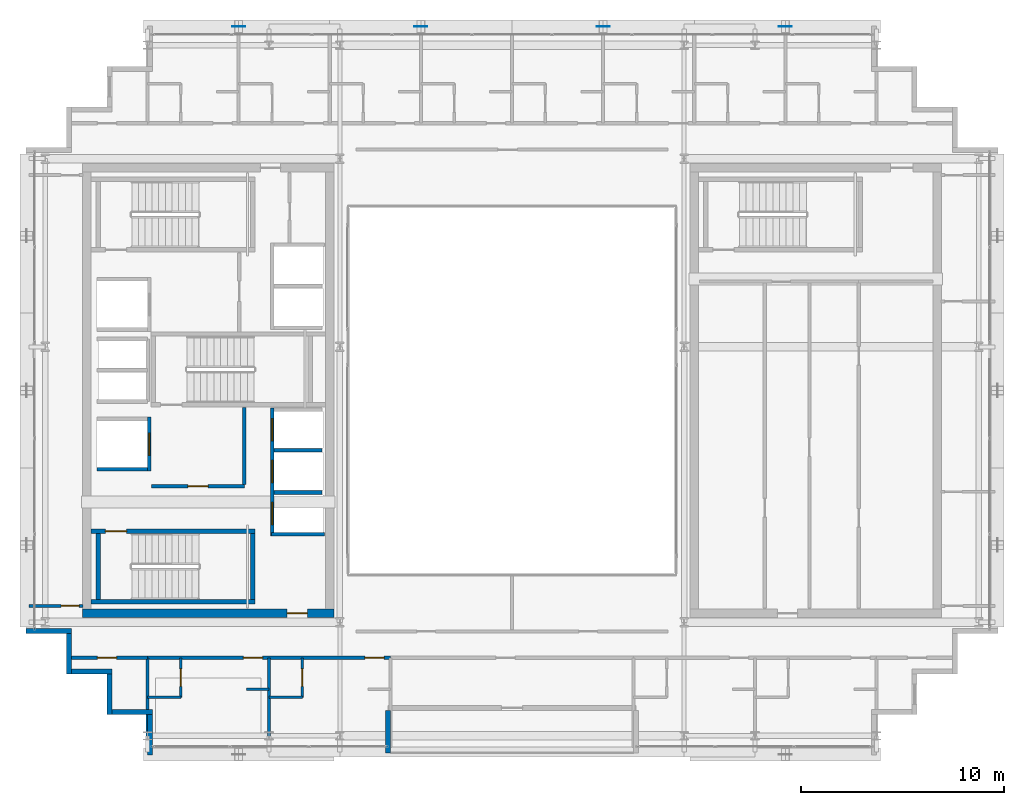
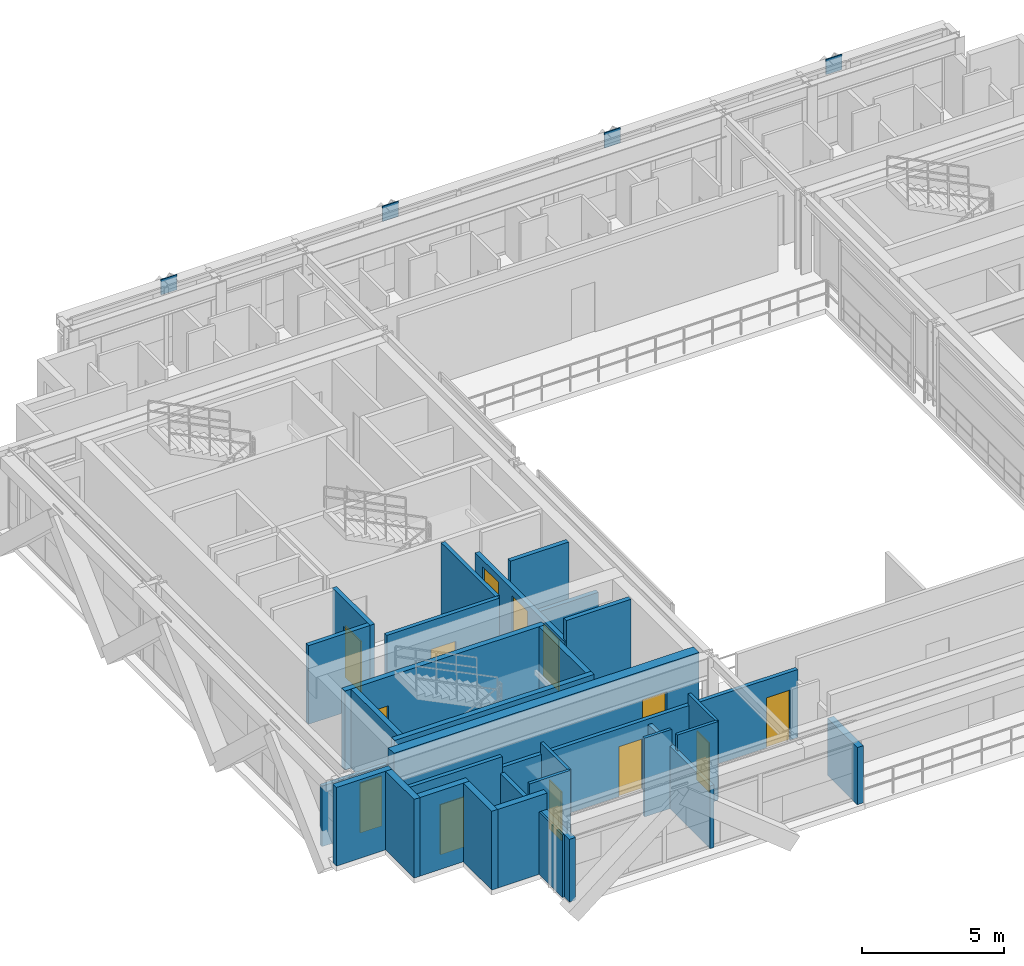
# One storey, part 21 of 29: 30 walls, 13 doors, 4 plates, 13 openings.
"""IFC4 building model written with IfcOpenShell, lengths in metres."""

from ifc_helpers import new_model, si_unit, direction, frame, frame_2d, origin, origin_2d, place, context, subcontext, project, spatial, rectangle, extrude, source, transform, mapped, material, layer, layer_set, type_object, element, fill, save


model = new_model("IFC4")

# Units and contexts
model_context = context("Model", 3, precision=1e-05, world=origin(), true_north=direction((0.0, 1.0)))
body_context = subcontext(model_context, "Body", "Model", "MODEL_VIEW")
ifc_project = project(units=[si_unit("LENGTHUNIT", "METRE"), si_unit("AREAUNIT", "SQUARE_METRE"), si_unit("VOLUMEUNIT", "CUBIC_METRE"), si_unit("PLANEANGLEUNIT", "RADIAN"), si_unit("MASSUNIT", "GRAM", prefix="KILO")], contexts=[model_context])

# Site, building, storey
site_placement = place(None, origin())
site = spatial("IfcSite", under=ifc_project, at=site_placement, CompositionType="ELEMENT")
building_placement = place(site_placement, origin())
building = spatial("IfcBuilding", under=site, at=building_placement, Name="Ocotamira Hotel", CompositionType="ELEMENT")
storey_placement = place(building_placement, frame((0.0, 0.0, 236.39990234375)))
storey = spatial("IfcBuildingStorey", under=building, at=storey_placement, Name="L59", CompositionType="ELEMENT", Elevation=236.39990234375)

# Plates
ifc_material_1 = material(Name="Pale-metal coated steel ASTM A572 Grade 50", Category="steel")
ifc_layer_1 = layer(ifc_material_1, 0.0400390625)
ifc_layer_set_1 = layer_set([ifc_layer_1], Name="Pale-metal coated steel ASTM A572 Grade 50")
plate_type = type_object("IfcPlateType", Name="PLT-GUSSET-40", PredefinedType="SHEET", material=ifc_layer_set_1)
shared_shape_1 = source(origin(), body_context, "Body", "SweptSolid", [
    extrude(rectangle(XDim=0.64990234375, YDim=0.0400390625, at=origin_2d()), origin(), (0.0, 0.0, 1.0), 0.64990234375),
])
for number, where, z_axis, x_axis, name in (
    (1, (18.5, 43.969970703125, 2.80517578125), (0.0, 0.0, 1.0), (1.0, 0.0, 0.0), "L59 Exoskeleton Diagrid N0.1 End Gusset B"),
    (2, (27.5, 43.969970703125, 2.80517578125), (0.0, 0.0, 1.0), (1.0, 0.0, 0.0), "L59 Exoskeleton Diagrid N1.1 End Gusset B"),
    (3, (36.5, 43.969970703125, 2.80517578125), (0.0, 0.0, 1.0), (1.0, 0.0, 0.0), "L59 Exoskeleton Diagrid N2.1 End Gusset B"),
    (4, (45.5, 43.969970703125, 2.80517578125), (0.0, 0.0, 1.0), (1.0, 0.0, 0.0), "L59 Exoskeleton Diagrid N3.1 End Gusset B"),
):
    element("IfcPlate", number, at=place(storey_placement, frame(where, z_axis=z_axis, x_axis=x_axis)), inside=storey, type_object=plate_type, Name=name, PredefinedType="SHEET", context=body_context, shape_type="MappedRepresentation", body=[
        mapped(shared_shape_1, transform((0.0, 0.0, 0.0), scale=1.0)),
    ])

# Wall, opening, door
ifc_material_2 = material(Name="Concrete C50/60", Category="concrete")
ifc_layer_2 = layer(ifc_material_2, 0.39990234375)
ifc_layer_set_2 = layer_set([ifc_layer_2], Name="Concrete C50/60")
wall_type_1 = type_object("IfcWallType", Name="WL-CORE-400", PredefinedType="SHEAR", material=ifc_layer_set_2)
wall_1_placement = place(storey_placement, frame((10.800048828125, 15.0, 0.0), z_axis=(0.0, 0.0, 1.0), x_axis=(1.0, 0.0, 0.0)))
wall_1 = element("IfcWall", 5, at=wall_1_placement, inside=storey, type_object=wall_type_1, Name="L59 Shear Core Wall WCORE-S", PredefinedType="SHEAR", context=body_context, shape_type="SweptSolid", body=[
    extrude(rectangle(XDim=12.39990234375, YDim=0.39990234375, at=frame_2d((6.199951171875, 0.0))), origin(), (0.0, 0.0, 1.0), 3.380126953125),
])
opening_1_placement = place(wall_1_placement, frame((10.10009765625, 0.0, 0.0)))
opening_1 = element("IfcOpeningElement", 6, at=opening_1_placement, cuts=wall_1, Name="Opening D-FR2", PredefinedType="OPENING", context=body_context, shape_type="SweptSolid", body=[
    extrude(rectangle(XDim=1.0, YDim=2.14990234375, at=frame_2d((0.5, 1.074951171875))), frame((0.0, 0.2099609375, 0.0), z_axis=(0.0, -1.0, 0.0), x_axis=(1.0, 0.0, 0.0)), (0.0, 0.0, 1.0), 0.419921875),
])
ifc_material_3 = material(Name="Fire-rated acoustic timber-veneer door", Category="wood")
door_type_1 = type_object("IfcDoorType", Name="DR-FIRE-1000", OperationType="NOTDEFINED", PredefinedType="DOOR", material=ifc_material_3)
shared_shape_2 = source(origin(), body_context, "Body", "SweptSolid", [
    extrude(rectangle(XDim=1.0, YDim=2.14990234375, at=frame_2d((0.5, 1.074951171875))), frame((0.0, 0.02490234375, 0.0), z_axis=(0.0, -1.0, 0.0), x_axis=(1.0, 0.0, 0.0)), (0.0, 0.0, 1.0), 0.050048828125),
])
door_1_placement = place(opening_1_placement, origin())
door_1 = element("IfcDoor", 7, at=door_1_placement, inside=storey, type_object=door_type_1, Name="L59 Door ID-L59-WLOB-S-D [ID-L59-WLOB-S-D]", OperationType="SINGLE_SWING_LEFT", OverallHeight=2.14990234375, OverallWidth=1.0, PredefinedType="DOOR", context=body_context, shape_type="MappedRepresentation", body=[
    mapped(shared_shape_2, transform((0.0, 0.0, 0.0), scale=1.0)),
])
fill(opening_1, door_1)

# Walls
ifc_material_4 = material(Name="Precast concrete C45/55", Category="concrete")
ifc_layer_3 = layer(ifc_material_4, 0.25)
ifc_layer_set_3 = layer_set([ifc_layer_3], Name="Precast concrete C45/55")
wall_type_2 = type_object("IfcWallType", Name="WL-EXT-SER-250", PredefinedType="SOLIDWALL", material=ifc_layer_set_3)
wall_2_placement = place(storey_placement, frame((8.0, 14.125, 0.0), z_axis=(0.0, 0.0, 1.0), x_axis=(1.0, 0.0, 0.0)))
element("IfcWall", 8, at=wall_2_placement, inside=storey, type_object=wall_type_2, Name="L59 Serrated Corner Wall 19", PredefinedType="SOLIDWALL", context=body_context, shape_type="SweptSolid", body=[
    extrude(rectangle(XDim=2.25, YDim=0.25, at=frame_2d((1.125, 0.0))), origin(), (0.0, 0.0, 1.0), 3.380126953125),
])
for number, where, z_axis, x_axis, name in (
    (9, (10.125, 14.0, 0.0), (0.0, 0.0, 1.0), (0.0, -1.0, 0.0), "L59 Serrated Corner Wall 20"),
    (10, (10.25, 12.125, 0.0), (0.0, 0.0, 1.0), (1.0, 0.0, 0.0), "L59 Serrated Corner Wall 21"),
    (11, (12.125, 12.0, 0.0), (0.0, 0.0, 1.0), (0.0, -1.0, 0.0), "L59 Serrated Corner Wall 22"),
    (12, (12.25, 10.125, 0.0), (0.0, 0.0, 1.0), (1.0, 0.0, 0.0), "L59 Serrated Corner Wall 23"),
):
    element("IfcWall", number, at=place(storey_placement, frame(where, z_axis=z_axis, x_axis=x_axis)), inside=storey, type_object=wall_type_2, Name=name, PredefinedType="SOLIDWALL", context=body_context, shape_type="SweptSolid", body=[
        extrude(rectangle(XDim=2.0, YDim=0.25, at=frame_2d((1.0, 0.0))), origin(), (0.0, 0.0, 1.0), 3.380126953125),
    ])
wall_3_placement = place(storey_placement, frame((14.125, 10.0, 0.0), z_axis=(0.0, 0.0, 1.0), x_axis=(0.0, -1.0, 0.0)))
element("IfcWall", 13, at=wall_3_placement, inside=storey, type_object=wall_type_2, Name="L59 Serrated Corner Wall 24", PredefinedType="SOLIDWALL", context=body_context, shape_type="SweptSolid", body=[
    extrude(rectangle(XDim=2.0, YDim=0.25, at=frame_2d((1.0, 0.0))), origin(), (0.0, 0.0, 1.0), 2.68701171875),
])
wall_4_placement = place(storey_placement, frame((25.875, 8.10009765625, 0.0), z_axis=(0.0, 0.0, 1.0), x_axis=(0.0, 1.0, 0.0)))
element("IfcWall", 14, at=wall_4_placement, inside=storey, type_object=wall_type_2, Name="L59 Sky Terrace Return Wall 1L", PredefinedType="SOLIDWALL", context=body_context, shape_type="SweptSolid", body=[
    extrude(rectangle(XDim=2.099853515625, YDim=0.25, at=frame_2d((1.0498046875, 0.0))), origin(), (0.0, 0.0, 1.0), 2.453125),
])

# Wall, opening, door
ifc_material_5 = material(Name="Acoustic double-layer fire gypsum board partition", Category="gypsum")
ifc_layer_4 = layer(ifc_material_5, 0.159912109375)
ifc_layer_set_4 = layer_set([ifc_layer_4], Name="Acoustic double-layer fire gypsum board partition")
wall_type_3 = type_object("IfcWallType", Name="WL-FIRE-160", PredefinedType="PARTITIONING", material=ifc_layer_set_4)
wall_5_placement = place(storey_placement, frame((14.199951171875, 21.27001953125, 0.0), z_axis=(0.0, 0.0, 1.0), x_axis=(1.0, 0.0, 0.0)))
wall_5 = element("IfcWall", 15, at=wall_5_placement, inside=storey, type_object=wall_type_3, Name="L59 Interior Wall PW-L59-FSAE1-S", PredefinedType="PARTITIONING", context=body_context, shape_type="SweptSolid", body=[
    extrude(rectangle(XDim=4.580078125, YDim=0.159912109375, at=frame_2d((2.2900390625, 0.0))), origin(), (0.0, 0.0, 1.0), 3.380126953125),
])
opening_2_placement = place(wall_5_placement, frame((1.800048828125, 0.0, 0.0)))
opening_2 = element("IfcOpeningElement", 16, at=opening_2_placement, cuts=wall_5, Name="Opening D-FR2", PredefinedType="OPENING", context=body_context, shape_type="SweptSolid", body=[
    extrude(rectangle(XDim=1.0, YDim=2.14990234375, at=frame_2d((0.5, 1.074951171875))), frame((0.0, 0.08984375, 0.0), z_axis=(0.0, -1.0, 0.0), x_axis=(1.0, 0.0, 0.0)), (0.0, 0.0, 1.0), 0.179931640625),
])
door_2_placement = place(opening_2_placement, origin())
door_2 = element("IfcDoor", 17, at=door_2_placement, inside=storey, type_object=door_type_1, Name="L59 Door ID-L59-FSAE1-D [ID-L59-FSAE1-D]", OperationType="SINGLE_SWING_LEFT", OverallHeight=2.14990234375, OverallWidth=1.0, PredefinedType="DOOR", context=body_context, shape_type="MappedRepresentation", body=[
    mapped(shared_shape_2, transform((0.0, 0.0, 0.0), scale=1.0)),
])
fill(opening_2, door_2)

# Wall
wall_6_placement = place(storey_placement, frame((18.780029296875, 21.35009765625, 0.0), z_axis=(0.0, 0.0, 1.0), x_axis=(0.0, 1.0, 0.0)))
element("IfcWall", 18, at=wall_6_placement, inside=storey, type_object=wall_type_3, Name="L59 Interior Wall PW-L59-FSAE1-E", PredefinedType="PARTITIONING", context=body_context, shape_type="SweptSolid", body=[
    extrude(rectangle(XDim=3.809814453125, YDim=0.159912109375, at=frame_2d((1.90478515625, 0.0))), origin(), (0.0, 0.0, 1.0), 3.380126953125),
])

# Wall, openings, doors
wall_7_placement = place(storey_placement, frame((14.0, 12.800048828125, 0.0), z_axis=(0.0, 0.0, 1.0), x_axis=(1.0, 0.0, 0.0)))
wall_7 = element("IfcWall", 19, at=wall_7_placement, inside=storey, type_object=wall_type_3, Name="L59 Interior Wall PW-L59-Z4BSW-CORRW", PredefinedType="PARTITIONING", context=body_context, shape_type="SweptSolid", body=[
    extrude(rectangle(XDim=12.0, YDim=0.159912109375, at=frame_2d((6.0, 0.0))), origin(), (0.0, 0.0, 1.0), 2.923095703125),
])
opening_3_placement = place(wall_7_placement, frame((4.739990234375, 0.0, 0.0)))
opening_3 = element("IfcOpeningElement", 20, at=opening_3_placement, cuts=wall_7, Name="Opening D-GR1", PredefinedType="OPENING", context=body_context, shape_type="SweptSolid", body=[
    extrude(rectangle(XDim=0.93994140625, YDim=2.14990234375, at=frame_2d((0.469970703125, 1.074951171875))), frame((0.0, 0.08984375, 0.0), z_axis=(0.0, -1.0, 0.0), x_axis=(1.0, 0.0, 0.0)), (0.0, 0.0, 1.0), 0.179931640625),
])
opening_4_placement = place(wall_7_placement, frame((10.739990234375, 0.0, 0.0)))
opening_4 = element("IfcOpeningElement", 21, at=opening_4_placement, cuts=wall_7, Name="Opening D-GR1", PredefinedType="OPENING", context=body_context, shape_type="SweptSolid", body=[
    extrude(rectangle(XDim=0.93994140625, YDim=2.14990234375, at=frame_2d((0.469970703125, 1.074951171875))), frame((0.0, 0.08984375, 0.0), z_axis=(0.0, -1.0, 0.0), x_axis=(1.0, 0.0, 0.0)), (0.0, 0.0, 1.0), 0.179931640625),
])
ifc_material_6 = material(Name="Solid-core walnut suite entrance fire door", Category="wood")
door_type_2 = type_object("IfcDoorType", Name="DR-GUEST-940", OperationType="NOTDEFINED", PredefinedType="DOOR", material=ifc_material_6)
shared_shape_3 = source(origin(), body_context, "Body", "SweptSolid", [
    extrude(rectangle(XDim=0.93994140625, YDim=2.14990234375, at=frame_2d((0.469970703125, 1.074951171875))), frame((0.0, 0.02490234375, 0.0), z_axis=(0.0, -1.0, 0.0), x_axis=(1.0, 0.0, 0.0)), (0.0, 0.0, 1.0), 0.050048828125),
])
door_3_placement = place(opening_3_placement, origin())
door_3 = element("IfcDoor", 22, at=door_3_placement, inside=storey, type_object=door_type_2, Name="L59 Door ID-L59-Z4BSW-RMD1 [ID-L59-Z4BSW-RMD1]", OperationType="SINGLE_SWING_LEFT", OverallHeight=2.14990234375, OverallWidth=0.93994140625, PredefinedType="DOOR", context=body_context, shape_type="MappedRepresentation", body=[
    mapped(shared_shape_3, transform((0.0, 0.0, 0.0), scale=1.0)),
])
fill(opening_3, door_3)
door_4_placement = place(opening_4_placement, origin())
door_4 = element("IfcDoor", 23, at=door_4_placement, inside=storey, type_object=door_type_2, Name="L59 Door ID-L59-Z4BSW-RMD2 [ID-L59-Z4BSW-RMD2]", OperationType="SINGLE_SWING_RIGHT", OverallHeight=2.14990234375, OverallWidth=0.93994140625, PredefinedType="DOOR", context=body_context, shape_type="MappedRepresentation", body=[
    mapped(shared_shape_3, transform((0.0, 0.0, 0.0), scale=1.0)),
])
fill(opening_4, door_4)

# Wall, opening, door
wall_8_placement = place(storey_placement, frame((10.0, 12.800048828125, 0.0), z_axis=(0.0, 0.0, 1.0), x_axis=(1.0, 0.0, 0.0)))
wall_8 = element("IfcWall", 24, at=wall_8_placement, inside=storey, type_object=wall_type_3, Name="L59 Interior Wall PW-L59-Z4CSW-CW", PredefinedType="PARTITIONING", context=body_context, shape_type="SweptSolid", body=[
    extrude(rectangle(XDim=4.0, YDim=0.159912109375, at=frame_2d((2.0, 0.0))), origin(), (0.0, 0.0, 1.0), 3.380126953125),
])
opening_5_placement = place(wall_8_placement, frame((1.52001953125, 0.0, 0.0)))
opening_5 = element("IfcOpeningElement", 25, at=opening_5_placement, cuts=wall_8, Name="Opening D-SV4", PredefinedType="OPENING", context=body_context, shape_type="SweptSolid", body=[
    extrude(rectangle(XDim=0.9599609375, YDim=2.14990234375, at=frame_2d((0.47998046875, 1.074951171875))), frame((0.0, 0.08984375, 0.0), z_axis=(0.0, -1.0, 0.0), x_axis=(1.0, 0.0, 0.0)), (0.0, 0.0, 1.0), 0.179931640625),
])
ifc_material_7 = material(Name="Fire-rated accessible walnut salon door", Category="wood")
door_type_3 = type_object("IfcDoorType", Name="DR-SERV-960", OperationType="NOTDEFINED", PredefinedType="DOOR", material=ifc_material_7)
shared_shape_4 = source(origin(), body_context, "Body", "SweptSolid", [
    extrude(rectangle(XDim=0.9599609375, YDim=2.14990234375, at=frame_2d((0.47998046875, 1.074951171875))), frame((0.0, 0.02490234375, 0.0), z_axis=(0.0, -1.0, 0.0), x_axis=(1.0, 0.0, 0.0)), (0.0, 0.0, 1.0), 0.050048828125),
])
door_5_placement = place(opening_5_placement, origin())
door_5 = element("IfcDoor", 26, at=door_5_placement, inside=storey, type_object=door_type_3, Name="L59 Door ID-L59-Z4CSW-CD [ID-L59-Z4CSW-CD]", OperationType="SINGLE_SWING_LEFT", OverallHeight=2.14990234375, OverallWidth=0.9599609375, PredefinedType="DOOR", context=body_context, shape_type="MappedRepresentation", body=[
    mapped(shared_shape_4, transform((0.0, 0.0, 0.0), scale=1.0)),
])
fill(opening_5, door_5)

ifc_material_8 = material(Name="Moisture-resistant en-suite tile and gypsum partition", Category="gypsum")
ifc_layer_5 = layer(ifc_material_8, 0.1201171875)
ifc_layer_set_5 = layer_set([ifc_layer_5], Name="Moisture-resistant en-suite tile and gypsum partition")
wall_type_4 = type_object("IfcWallType", Name="WL-PART-120", PredefinedType="PARTITIONING", material=ifc_layer_set_5)
wall_9_placement = place(storey_placement, frame((15.64990234375, 10.85009765625, 0.0), z_axis=(0.0, 0.0, 1.0), x_axis=(0.0, 1.0, 0.0)))
wall_9 = element("IfcWall", 27, at=wall_9_placement, inside=storey, type_object=wall_type_4, Name="L59 Interior Wall PW-L59-Z4BSW-BAE1", PredefinedType="PARTITIONING", context=body_context, shape_type="SweptSolid", body=[
    extrude(rectangle(XDim=1.949951171875, YDim=0.1201171875, at=frame_2d((0.97509765625, 0.0))), origin(), (0.0, 0.0, 1.0), 3.380126953125),
])
opening_6_placement = place(wall_9_placement, frame((0.544921875, 0.0, 0.0)))
opening_6 = element("IfcOpeningElement", 28, at=opening_6_placement, cuts=wall_9, Name="Opening D-BA1", PredefinedType="OPENING", context=body_context, shape_type="SweptSolid", body=[
    extrude(rectangle(XDim=0.860107421875, YDim=2.10009765625, at=frame_2d((0.43017578125, 1.050048828125))), frame((0.0, 0.070068359375, 0.0), z_axis=(0.0, -1.0, 0.0), x_axis=(1.0, 0.0, 0.0)), (0.0, 0.0, 1.0), 0.14013671875),
])
ifc_material_9 = material(Name="Moisture-sealed en-suite timber door", Category="wood")
door_type_4 = type_object("IfcDoorType", Name="DR-BATH-860", OperationType="NOTDEFINED", PredefinedType="DOOR", material=ifc_material_9)
shared_shape_5 = source(origin(), body_context, "Body", "SweptSolid", [
    extrude(rectangle(XDim=0.860107421875, YDim=2.10009765625, at=frame_2d((0.43017578125, 1.050048828125))), frame((0.0, 0.02490234375, 0.0), z_axis=(0.0, -1.0, 0.0), x_axis=(1.0, 0.0, 0.0)), (0.0, 0.0, 1.0), 0.050048828125),
])
door_6_placement = place(opening_6_placement, origin())
door_6 = element("IfcDoor", 29, at=door_6_placement, inside=storey, type_object=door_type_4, Name="L59 Door ID-L59-Z4BSW-BAD1 [ID-L59-Z4BSW-BAD1]", OperationType="SINGLE_SWING_RIGHT", OverallHeight=2.10009765625, OverallWidth=0.860107421875, PredefinedType="DOOR", context=body_context, shape_type="MappedRepresentation", body=[
    mapped(shared_shape_5, transform((0.0, 0.0, 0.0), scale=1.0)),
])
fill(opening_6, door_6)

# Walls
wall_10_placement = place(storey_placement, frame((14.0, 10.85009765625, 0.0), z_axis=(0.0, 0.0, 1.0), x_axis=(1.0, 0.0, 0.0)))
element("IfcWall", 30, at=wall_10_placement, inside=storey, type_object=wall_type_4, Name="L59 Interior Wall PW-L59-Z4BSW-BAS1", PredefinedType="PARTITIONING", context=body_context, shape_type="SweptSolid", body=[
    extrude(rectangle(XDim=1.64990234375, YDim=0.1201171875, at=frame_2d((0.824951171875, 0.0))), origin(), (0.0, 0.0, 1.0), 3.380126953125),
])
wall_11_placement = place(storey_placement, frame((18.89990234375, 11.25, 0.0), z_axis=(0.0, 0.0, 1.0), x_axis=(1.0, 0.0, 0.0)))
element("IfcWall", 31, at=wall_11_placement, inside=storey, type_object=wall_type_4, Name="L59 Interior Wall PW-L59-Z4BSW-DRN1", PredefinedType="PARTITIONING", context=body_context, shape_type="SweptSolid", body=[
    extrude(rectangle(XDim=1.10009765625, YDim=0.1201171875, at=frame_2d((0.550048828125, 0.0))), origin(), (0.0, 0.0, 1.0), 3.380126953125),
])

# Wall, opening, door
wall_12_placement = place(storey_placement, frame((21.64990234375, 10.85009765625, 0.0), z_axis=(0.0, 0.0, 1.0), x_axis=(0.0, 1.0, 0.0)))
wall_12 = element("IfcWall", 32, at=wall_12_placement, inside=storey, type_object=wall_type_4, Name="L59 Interior Wall PW-L59-Z4BSW-BAE2", PredefinedType="PARTITIONING", context=body_context, shape_type="SweptSolid", body=[
    extrude(rectangle(XDim=1.949951171875, YDim=0.1201171875, at=frame_2d((0.97509765625, 0.0))), origin(), (0.0, 0.0, 1.0), 3.380126953125),
])
opening_7_placement = place(wall_12_placement, frame((0.544921875, 0.0, 0.0)))
opening_7 = element("IfcOpeningElement", 33, at=opening_7_placement, cuts=wall_12, Name="Opening D-BA1", PredefinedType="OPENING", context=body_context, shape_type="SweptSolid", body=[
    extrude(rectangle(XDim=0.860107421875, YDim=2.10009765625, at=frame_2d((0.43017578125, 1.050048828125))), frame((0.0, 0.070068359375, 0.0), z_axis=(0.0, -1.0, 0.0), x_axis=(1.0, 0.0, 0.0)), (0.0, 0.0, 1.0), 0.14013671875),
])
door_7_placement = place(opening_7_placement, origin())
door_7 = element("IfcDoor", 34, at=door_7_placement, inside=storey, type_object=door_type_4, Name="L59 Door ID-L59-Z4BSW-BAD2 [ID-L59-Z4BSW-BAD2]", OperationType="SINGLE_SWING_LEFT", OverallHeight=2.10009765625, OverallWidth=0.860107421875, PredefinedType="DOOR", context=body_context, shape_type="MappedRepresentation", body=[
    mapped(shared_shape_5, transform((0.0, 0.0, 0.0), scale=1.0)),
])
fill(opening_7, door_7)

# Wall
wall_13_placement = place(storey_placement, frame((20.0, 10.85009765625, 0.0), z_axis=(0.0, 0.0, 1.0), x_axis=(1.0, 0.0, 0.0)))
element("IfcWall", 35, at=wall_13_placement, inside=storey, type_object=wall_type_4, Name="L59 Interior Wall PW-L59-Z4BSW-BAS2", PredefinedType="PARTITIONING", context=body_context, shape_type="SweptSolid", body=[
    extrude(rectangle(XDim=1.64990234375, YDim=0.1201171875, at=frame_2d((0.824951171875, 0.0))), origin(), (0.0, 0.0, 1.0), 3.380126953125),
])

# Wall, opening, door
ifc_material_10 = material(Name="Acoustic hospitality gypsum board partition", Category="gypsum")
ifc_layer_6 = layer(ifc_material_10, 0.14990234375)
ifc_layer_set_6 = layer_set([ifc_layer_6], Name="Acoustic hospitality gypsum board partition")
wall_type_5 = type_object("IfcWallType", Name="WL-PART-150", PredefinedType="PARTITIONING", material=ifc_layer_set_6)
wall_14_placement = place(storey_placement, frame((8.159912109375, 15.360107421875, 0.0), z_axis=(0.0, 0.0, 1.0), x_axis=(1.0, 0.0, 0.0)))
wall_14 = element("IfcWall", 36, at=wall_14_placement, inside=storey, type_object=wall_type_5, Name="L59 Interior Wall PW-L59-Z4BW-WS", PredefinedType="PARTITIONING", context=body_context, shape_type="SweptSolid", body=[
    extrude(rectangle(XDim=2.66015625, YDim=0.14990234375, at=frame_2d((1.330078125, 0.0))), origin(), (0.0, 0.0, 1.0), 2.60107421875),
])
opening_8_placement = place(wall_14_placement, frame((1.580078125, 0.0, 0.0)))
opening_8 = element("IfcOpeningElement", 37, at=opening_8_placement, cuts=wall_14, Name="Opening D-SV2", PredefinedType="OPENING", context=body_context, shape_type="SweptSolid", body=[
    extrude(rectangle(XDim=0.8798828125, YDim=2.14990234375, at=frame_2d((0.43994140625, 1.074951171875))), frame((0.0, 0.0849609375, 0.0), z_axis=(0.0, -1.0, 0.0), x_axis=(1.0, 0.0, 0.0)), (0.0, 0.0, 1.0), 0.169921875),
])
ifc_material_11 = material(Name="Fire-rated painted steel service door", Category="steel")
door_type_5 = type_object("IfcDoorType", Name="DR-SERV-880", OperationType="NOTDEFINED", PredefinedType="DOOR", material=ifc_material_11)
shared_shape_6 = source(origin(), body_context, "Body", "SweptSolid", [
    extrude(rectangle(XDim=0.8798828125, YDim=2.14990234375, at=frame_2d((0.43994140625, 1.074951171875))), frame((0.0, 0.02490234375, 0.0), z_axis=(0.0, -1.0, 0.0), x_axis=(1.0, 0.0, 0.0)), (0.0, 0.0, 1.0), 0.050048828125),
])
door_8_placement = place(opening_8_placement, origin())
door_8 = element("IfcDoor", 38, at=door_8_placement, inside=storey, type_object=door_type_5, Name="L59 Door ID-L59-Z4BW-DS [ID-L59-Z4BW-DS]", OperationType="SINGLE_SWING_LEFT", OverallHeight=2.14990234375, OverallWidth=0.8798828125, PredefinedType="DOOR", context=body_context, shape_type="MappedRepresentation", body=[
    mapped(shared_shape_6, transform((0.0, 0.0, 0.0), scale=1.0)),
])
fill(opening_8, door_8)

# Walls
ifc_material_12 = material(Name="Acoustic double-stud hospitality gypsum partition", Category="gypsum")
ifc_layer_7 = layer(ifc_material_12, 0.159912109375)
ifc_layer_set_7 = layer_set([ifc_layer_7], Name="Acoustic double-stud hospitality gypsum partition")
wall_type_6 = type_object("IfcWallType", Name="WL-PART-160", PredefinedType="PARTITIONING", material=ifc_layer_set_7)
for number, where, z_axis, x_axis, name in (
    (39, (14.0, 8.360107421875, 0.0), (0.0, 0.0, 1.0), (0.0, 1.0, 0.0), "L59 Interior Wall PW-L59-Z4BSW-PW0"),
    (40, (20.0, 8.360107421875, 0.0), (0.0, 0.0, 1.0), (0.0, 1.0, 0.0), "L59 Interior Wall PW-L59-Z4BSW-PW1"),
):
    element("IfcWall", number, at=place(storey_placement, frame(where, z_axis=z_axis, x_axis=x_axis)), inside=storey, type_object=wall_type_6, Name=name, PredefinedType="PARTITIONING", context=body_context, shape_type="SweptSolid", body=[
        extrude(rectangle(XDim=4.43994140625, YDim=0.159912109375, at=frame_2d((2.219970703125, 0.0))), origin(), (0.0, 0.0, 1.0), 2.68701171875),
    ])

# Wall, openings, doors
ifc_material_13 = material(Name="Fire-rated gypsum shaftliner board assembly", Category="gypsum")
ifc_layer_8 = layer(ifc_material_13, 0.179931640625)
ifc_layer_set_8 = layer_set([ifc_layer_8], Name="Fire-rated gypsum shaftliner board assembly")
wall_type_7 = type_object("IfcWallType", Name="WL-SHAFT-180", PredefinedType="SOLIDWALL", material=ifc_layer_set_8)
wall_15_placement = place(storey_placement, frame((20.159912109375, 18.820068359375, 0.0), z_axis=(0.0, 0.0, 1.0), x_axis=(0.0, 1.0, 0.0)))
wall_15 = element("IfcWall", 41, at=wall_15_placement, inside=storey, type_object=wall_type_7, Name="L59 Interior Wall PW-L59-LFW-BANK-high-F", PredefinedType="SOLIDWALL", context=body_context, shape_type="SweptSolid", body=[
    extrude(rectangle(XDim=6.31982421875, YDim=0.179931640625, at=frame_2d((3.159912109375, 0.0))), origin(), (0.0, 0.0, 1.0), 2.47998046875),
])
opening_9_placement = place(wall_15_placement, frame((0.554931640625, 0.0, 0.0)))
opening_9 = element("IfcOpeningElement", 42, at=opening_9_placement, cuts=wall_15, Name="Opening LD-LF-P7", PredefinedType="OPENING", context=body_context, shape_type="SweptSolid", body=[
    extrude(rectangle(XDim=1.10009765625, YDim=2.199951171875, at=frame_2d((0.550048828125, 1.10009765625))), frame((0.0, 0.10009765625, 0.0), z_axis=(0.0, -1.0, 0.0), x_axis=(1.0, 0.0, 0.0)), (0.0, 0.0, 1.0), 0.199951171875),
])
opening_10_placement = place(wall_15_placement, frame((2.635009765625, 0.0, 0.0)))
opening_10 = element("IfcOpeningElement", 43, at=opening_10_placement, cuts=wall_15, Name="Opening LD-LF-P8", PredefinedType="OPENING", context=body_context, shape_type="SweptSolid", body=[
    extrude(rectangle(XDim=1.10009765625, YDim=2.199951171875, at=frame_2d((0.550048828125, 1.10009765625))), frame((0.0, 0.10009765625, 0.0), z_axis=(0.0, -1.0, 0.0), x_axis=(1.0, 0.0, 0.0)), (0.0, 0.0, 1.0), 0.199951171875),
])
opening_11_placement = place(wall_15_placement, frame((4.68994140625, 0.0, 0.0)))
opening_11 = element("IfcOpeningElement", 44, at=opening_11_placement, cuts=wall_15, Name="Opening LD-LF-P9", PredefinedType="OPENING", context=body_context, shape_type="SweptSolid", body=[
    extrude(rectangle(XDim=1.10009765625, YDim=2.199951171875, at=frame_2d((0.550048828125, 1.10009765625))), frame((0.0, 0.10009765625, 0.0), z_axis=(0.0, -1.0, 0.0), x_axis=(1.0, 0.0, 0.0)), (0.0, 0.0, 1.0), 0.199951171875),
])
ifc_material_14 = material(Name="Brushed pale-metal stainless elevator landing door", Category="steel")
door_type_6 = type_object("IfcDoorType", Name="DR-LIFT-1100", OperationType="NOTDEFINED", PredefinedType="DOOR", material=ifc_material_14)
shared_shape_7 = source(origin(), body_context, "Body", "SweptSolid", [
    extrude(rectangle(XDim=1.10009765625, YDim=2.199951171875, at=frame_2d((0.550048828125, 1.10009765625))), frame((0.0, 0.02490234375, 0.0), z_axis=(0.0, -1.0, 0.0), x_axis=(1.0, 0.0, 0.0)), (0.0, 0.0, 1.0), 0.050048828125),
])
door_9_placement = place(opening_9_placement, origin())
door_9 = element("IfcDoor", 45, at=door_9_placement, inside=storey, type_object=door_type_6, Name="L59 Landing Door LD-LF-P7 [ID-L59-LD-LF-P7]", OperationType="DOUBLE_DOOR_SLIDING", OverallHeight=2.199951171875, OverallWidth=1.10009765625, PredefinedType="DOOR", context=body_context, shape_type="MappedRepresentation", body=[
    mapped(shared_shape_7, transform((0.0, 0.0, 0.0), scale=1.0)),
])
fill(opening_9, door_9)
door_10_placement = place(opening_10_placement, origin())
door_10 = element("IfcDoor", 46, at=door_10_placement, inside=storey, type_object=door_type_6, Name="L59 Landing Door LD-LF-P8 [ID-L59-LD-LF-P8]", OperationType="DOUBLE_DOOR_SLIDING", OverallHeight=2.199951171875, OverallWidth=1.10009765625, PredefinedType="DOOR", context=body_context, shape_type="MappedRepresentation", body=[
    mapped(shared_shape_7, transform((0.0, 0.0, 0.0), scale=1.0)),
])
fill(opening_10, door_10)
door_11_placement = place(opening_11_placement, origin())
door_11 = element("IfcDoor", 47, at=door_11_placement, inside=storey, type_object=door_type_6, Name="L59 Landing Door LD-LF-P9 [ID-L59-LD-LF-P9]", OperationType="DOUBLE_DOOR_SLIDING", OverallHeight=2.199951171875, OverallWidth=1.10009765625, PredefinedType="DOOR", context=body_context, shape_type="MappedRepresentation", body=[
    mapped(shared_shape_7, transform((0.0, 0.0, 0.0), scale=1.0)),
])
fill(opening_11, door_11)

# Walls
wall_16_placement = place(storey_placement, frame((20.1201171875, 18.909912109375, 0.0), z_axis=(0.0, 0.0, 1.0), x_axis=(1.0, 0.0, 0.0)))
element("IfcWall", 48, at=wall_16_placement, inside=storey, type_object=wall_type_7, Name="L59 Interior Wall PW-L59-LFW-BANK-high-S", PredefinedType="SOLIDWALL", context=body_context, shape_type="SweptSolid", body=[
    extrude(rectangle(XDim=2.6298828125, YDim=0.179931640625, at=frame_2d((1.31494140625, 0.0))), origin(), (0.0, 0.0, 1.0), 3.380126953125),
])
wall_17_placement = place(storey_placement, frame((20.25, 20.965087890625, 0.0), z_axis=(0.0, 0.0, 1.0), x_axis=(1.0, 0.0, 0.0)))
element("IfcWall", 49, at=wall_17_placement, inside=storey, type_object=wall_type_7, Name="L59 Interior Wall PW-L59-LFW-DIV-LF-P7", PredefinedType="SOLIDWALL", context=body_context, shape_type="SweptSolid", body=[
    extrude(rectangle(XDim=2.360107421875, YDim=0.179931640625, at=frame_2d((1.18017578125, 0.0))), origin(), (0.0, 0.0, 1.0), 2.47998046875),
])
wall_18_placement = place(storey_placement, frame((20.25, 23.044921875, 0.0), z_axis=(0.0, 0.0, 1.0), x_axis=(1.0, 0.0, 0.0)))
element("IfcWall", 50, at=wall_18_placement, inside=storey, type_object=wall_type_7, Name="L59 Interior Wall PW-L59-LFW-DIV-LF-P8", PredefinedType="SOLIDWALL", context=body_context, shape_type="SweptSolid", body=[
    extrude(rectangle(XDim=2.360107421875, YDim=0.179931640625, at=frame_2d((1.18017578125, 0.0))), origin(), (0.0, 0.0, 1.0), 3.380126953125),
])
wall_19_placement = place(storey_placement, frame((11.5, 22.110107421875, 0.0), z_axis=(0.0, 0.0, 1.0), x_axis=(1.0, 0.0, 0.0)))
element("IfcWall", 51, at=wall_19_placement, inside=storey, type_object=wall_type_7, Name="L59 Interior Wall PW-L59-LFW-LF-FSAE1-S", PredefinedType="SOLIDWALL", context=body_context, shape_type="SweptSolid", body=[
    extrude(rectangle(XDim=2.5, YDim=0.179931640625, at=frame_2d((1.25, 0.0))), origin(), (0.0, 0.0, 1.0), 3.380126953125),
])

# Wall, opening, door
wall_20_placement = place(storey_placement, frame((14.090087890625, 22.02001953125, 0.0), z_axis=(0.0, 0.0, 1.0), x_axis=(0.0, 1.0, 0.0)))
wall_20 = element("IfcWall", 52, at=wall_20_placement, inside=storey, type_object=wall_type_7, Name="L59 Interior Wall PW-L59-LFW-LF-FSAE1-E", PredefinedType="SOLIDWALL", context=body_context, shape_type="SweptSolid", body=[
    extrude(rectangle(XDim=2.659912109375, YDim=0.179931640625, at=frame_2d((1.330078125, 0.0))), origin(), (0.0, 0.0, 1.0), 3.380126953125),
])
opening_12_placement = place(wall_20_placement, frame((0.780029296875, 0.0, 0.0)))
opening_12 = element("IfcOpeningElement", 53, at=opening_12_placement, cuts=wall_20, Name="Opening LD-LF-FSAE1", PredefinedType="OPENING", context=body_context, shape_type="SweptSolid", body=[
    extrude(rectangle(XDim=1.10009765625, YDim=2.199951171875, at=frame_2d((0.550048828125, 1.10009765625))), frame((0.0, 0.10009765625, 0.0), z_axis=(0.0, -1.0, 0.0), x_axis=(1.0, 0.0, 0.0)), (0.0, 0.0, 1.0), 0.199951171875),
])
door_12_placement = place(opening_12_placement, origin())
door_12 = element("IfcDoor", 54, at=door_12_placement, inside=storey, type_object=door_type_6, Name="L59 Landing Door LD-LF-FSAE1 [ID-L59-LD-LF-FSAE1]", OperationType="DOUBLE_DOOR_SLIDING", OverallHeight=2.199951171875, OverallWidth=1.10009765625, PredefinedType="DOOR", context=body_context, shape_type="MappedRepresentation", body=[
    mapped(shared_shape_7, transform((0.0, 0.0, 0.0), scale=1.0)),
])
fill(opening_12, door_12)

# Wall
ifc_layer_9 = layer(ifc_material_2, 0.219970703125)
ifc_layer_set_9 = layer_set([ifc_layer_9], Name="Concrete C50/60")
wall_type_8 = type_object("IfcWallType", Name="WL-STAIR-220", PredefinedType="SHEAR", material=ifc_layer_set_9)
wall_21_placement = place(storey_placement, frame((11.199951171875, 15.56005859375, 0.0), z_axis=(0.0, 0.0, 1.0), x_axis=(1.0, 0.0, 0.0)))
element("IfcWall", 55, at=wall_21_placement, inside=storey, type_object=wall_type_8, Name="L59 Stair Shaft Structural Wall ST-1-S", PredefinedType="SHEAR", context=body_context, shape_type="SweptSolid", body=[
    extrude(rectangle(XDim=8.110107421875, YDim=0.219970703125, at=frame_2d((4.05517578125, 0.0))), origin(), (0.0, 0.0, 1.0), 3.400146484375),
])

# Wall, opening, door
wall_22_placement = place(storey_placement, frame((11.199951171875, 19.06005859375, 0.0), z_axis=(0.0, 0.0, 1.0), x_axis=(1.0, 0.0, 0.0)))
wall_22 = element("IfcWall", 56, at=wall_22_placement, inside=storey, type_object=wall_type_8, Name="L59 Stair Shaft Structural Wall ST-1-N", PredefinedType="SHEAR", context=body_context, shape_type="SweptSolid", body=[
    extrude(rectangle(XDim=8.110107421875, YDim=0.219970703125, at=frame_2d((4.05517578125, 0.0))), origin(), (0.0, 0.0, 1.0), 3.400146484375),
])
opening_13_placement = place(wall_22_placement, frame((0.719970703125, 0.0, 0.0)))
opening_13 = element("IfcOpeningElement", 57, at=opening_13_placement, cuts=wall_22, Name="Opening D-ST2", PredefinedType="OPENING", context=body_context, shape_type="SweptSolid", body=[
    extrude(rectangle(XDim=1.050048828125, YDim=2.14990234375, at=frame_2d((0.52490234375, 1.074951171875))), frame((0.0, 0.1201171875, 0.0), z_axis=(0.0, -1.0, 0.0), x_axis=(1.0, 0.0, 0.0)), (0.0, 0.0, 1.0), 0.239990234375),
])
ifc_material_15 = material(Name="Insulated painted hollow-metal fire exit door", Category="steel")
door_type_7 = type_object("IfcDoorType", Name="DR-STAIR-1050", OperationType="NOTDEFINED", PredefinedType="DOOR", material=ifc_material_15)
shared_shape_8 = source(origin(), body_context, "Body", "SweptSolid", [
    extrude(rectangle(XDim=1.050048828125, YDim=2.14990234375, at=frame_2d((0.52490234375, 1.074951171875))), frame((0.0, 0.02490234375, 0.0), z_axis=(0.0, -1.0, 0.0), x_axis=(1.0, 0.0, 0.0)), (0.0, 0.0, 1.0), 0.050048828125),
])
door_13_placement = place(opening_13_placement, origin())
door_13 = element("IfcDoor", 58, at=door_13_placement, inside=storey, type_object=door_type_7, Name="L59 Door ID-L59-STD-ST-1 [ID-L59-STD-ST-1]", OperationType="SINGLE_SWING_RIGHT", OverallHeight=2.14990234375, OverallWidth=1.050048828125, PredefinedType="DOOR", context=body_context, shape_type="MappedRepresentation", body=[
    mapped(shared_shape_8, transform((0.0, 0.0, 0.0), scale=1.0)),
])
fill(opening_13, door_13)

# Walls
for number, where, z_axis, x_axis, name in (
    (59, (11.56005859375, 15.669921875, 0.0), (0.0, 0.0, 1.0), (0.0, 1.0, 0.0), "L59 Stair Shaft Structural Wall ST-1-W"),
    (60, (19.199951171875, 15.669921875, 0.0), (0.0, 0.0, 1.0), (0.0, 1.0, 0.0), "L59 Stair Shaft Structural Wall ST-1-E"),
):
    element("IfcWall", number, at=place(storey_placement, frame(where, z_axis=z_axis, x_axis=x_axis)), inside=storey, type_object=wall_type_8, Name=name, PredefinedType="SHEAR", context=body_context, shape_type="SweptSolid", body=[
        extrude(rectangle(XDim=3.280029296875, YDim=0.219970703125, at=frame_2d((1.64013671875, 0.0))), origin(), (0.0, 0.0, 1.0), 3.400146484375),
    ])

save(model, "model.ifc")
